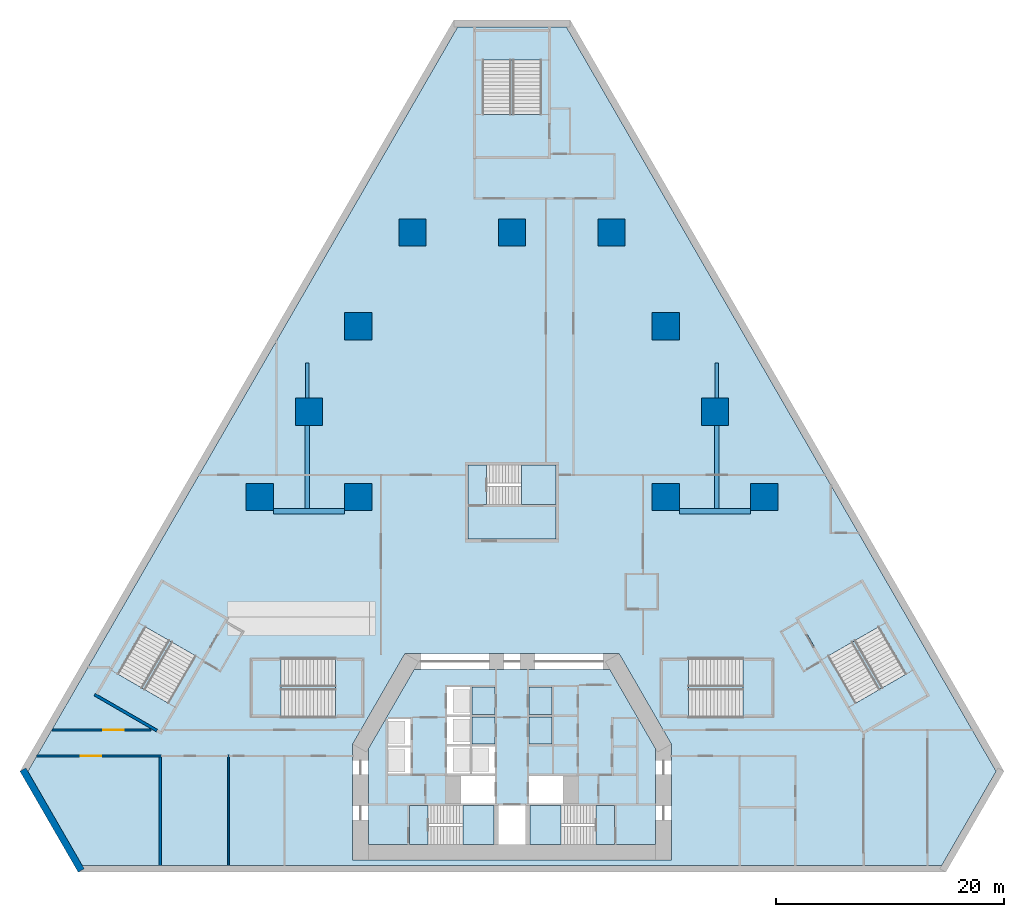
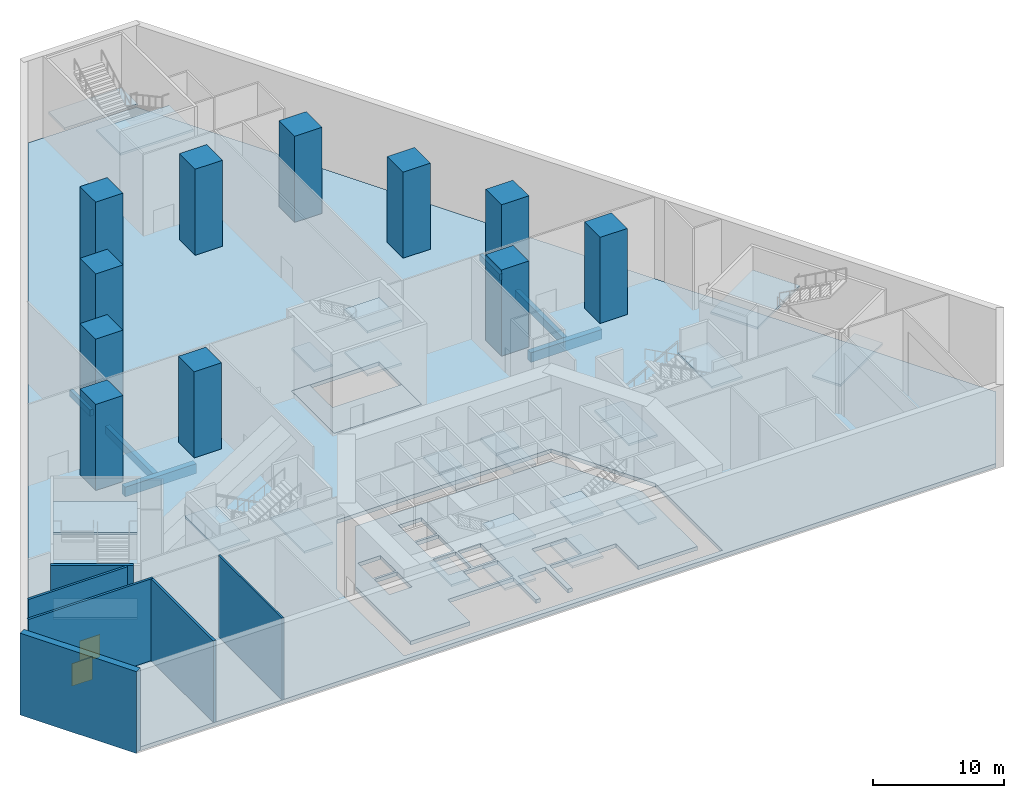
# One storey, part 1 of 11: 26 slabs, 11 columns, 6 beams, 6 walls, 2 doors, 2 openings, 8 elements without a shape of their own.
"""IFC4 building model written with IfcOpenShell, lengths in metres."""

from ifc_helpers import new_model, si_unit, direction, frame, frame_2d, origin, origin_2d, place, context, subcontext, project, spatial, polyline, rectangle, outline, extrude, material, layer, layer_set, material_profile, profile_set, type_object, element, fill, aggregate, save


model = new_model("IFC4")

# Units and contexts
model_context = context("Model", 3, precision=1e-05, world=origin(), true_north=direction((0.0, 1.0)))
body_context = subcontext(model_context, "Body", "Model", "MODEL_VIEW")
ifc_project = project(units=[si_unit("LENGTHUNIT", "METRE"), si_unit("AREAUNIT", "SQUARE_METRE"), si_unit("VOLUMEUNIT", "CUBIC_METRE"), si_unit("PLANEANGLEUNIT", "RADIAN"), si_unit("MASSUNIT", "GRAM", prefix="KILO")], contexts=[model_context])

# Site, building, storey
site_placement = place(None, origin())
site = spatial("IfcSite", under=ifc_project, at=site_placement, CompositionType="ELEMENT")
building_placement = place(site_placement, origin())
building = spatial("IfcBuilding", under=site, at=building_placement, Name="Fogline Exchange Tower", CompositionType="ELEMENT")
storey_placement = place(building_placement, frame((0.0, 0.0, -8.0)))
storey = spatial("IfcBuildingStorey", under=building, at=storey_placement, Name="B1", CompositionType="ELEMENT", Elevation=-8.0)

# Columns
ifc_material_1 = material(Name="Concrete C80", Category="concrete")
ifc_material_profile_1 = material_profile(ifc_material_1, rectangle(XDim=2.39990234375, YDim=2.39990234375, at=origin_2d()), Name="RC 2400x2400")
ifc_profile_set_1 = profile_set([ifc_material_profile_1], Name="Concrete C80")
column_type = type_object("IfcColumnType", Name="MC01", PredefinedType="COLUMN", material=ifc_profile_set_1)
for number, where, z_axis, x_axis, name in (
    (1, (-8.739990234375, 56.0, 0.0), (0.0, 0.0, 1.0), (1.0, 0.0, 0.0), "M01"),
    (2, (8.739990234375, 56.0, 0.0), (0.0, 0.0, 1.0), (1.0, 0.0, 0.0), "M02"),
    (3, (22.157958984375, 32.760009765625, 0.0), (0.0, 0.0, 1.0), (1.0, 0.0, 0.0), "M03"),
    (4, (-22.157958984375, 32.760009765625, 0.0), (0.0, 0.0, 1.0), (1.0, 0.0, 0.0), "M04"),
    (5, (-13.5, 47.756103515625, 0.0), (0.0, 0.0, 1.0), (1.0, 0.0, 0.0), "M05"),
    (6, (-13.5, 32.760009765625, 0.0), (0.0, 0.0, 1.0), (1.0, 0.0, 0.0), "M06"),
    (7, (0.0, 56.0, 0.0), (0.0, 0.0, 1.0), (1.0, 0.0, 0.0), "M07"),
    (8, (13.5, 47.756103515625, 0.0), (0.0, 0.0, 1.0), (1.0, 0.0, 0.0), "M08"),
    (9, (13.5, 32.760009765625, 0.0), (0.0, 0.0, 1.0), (1.0, 0.0, 0.0), "M09"),
    (10, (17.8291015625, 40.258056640625, 0.0), (0.0, 0.0, 1.0), (1.0, 0.0, 0.0), "M10"),
    (11, (-17.8291015625, 40.258056640625, 0.0), (0.0, 0.0, 1.0), (1.0, 0.0, 0.0), "M11"),
):
    element("IfcColumn", number, at=place(storey_placement, frame(where, z_axis=z_axis, x_axis=x_axis)), inside=storey, type_object=column_type, Name=name, PredefinedType="COLUMN", context=body_context, shape_type="SweptSolid", body=[
        extrude(rectangle(XDim=2.39990234375, YDim=2.39990234375, at=origin_2d()), origin(), (0.0, 0.0, 1.0), 8.0),
    ])

# Beams
ifc_material_2 = material(Name="Concrete C40", Category="concrete")
ifc_material_profile_2 = material_profile(ifc_material_2, rectangle(XDim=0.5, YDim=0.89990234375, at=origin_2d()), Name="RC 500x900")
ifc_profile_set_2 = profile_set([ifc_material_profile_2], Name="Concrete C40")
beam_type_1 = type_object("IfcBeamType", Name="B02", PredefinedType="BEAM", material=ifc_profile_set_2)
for number, where, z_axis, x_axis, name in (
    (12, (-20.9580078125, 31.5, -0.800048828125), (1.0, 0.0, 0.0), (0.0, 1.0, 0.0), "GB006"),
    (13, (14.699951171875, 31.5, -0.800048828125), (1.0, 0.0, 0.0), (0.0, 1.0, 0.0), "GB009"),
):
    element("IfcBeam", number, at=place(storey_placement, frame(where, z_axis=z_axis, x_axis=x_axis)), inside=storey, type_object=beam_type_1, Name=name, PredefinedType="BEAM", context=body_context, shape_type="SweptSolid", body=[
        extrude(rectangle(XDim=0.5, YDim=0.89990234375, at=origin_2d()), origin(), (0.0, 0.0, 1.0), 6.258056640625),
    ])
ifc_material_profile_3 = material_profile(ifc_material_2, rectangle(XDim=0.39990234375, YDim=0.75, at=origin_2d()), Name="RC 400x750")
ifc_profile_set_3 = profile_set([ifc_material_profile_3], Name="Concrete C40")
beam_type_2 = type_object("IfcBeamType", Name="B05", PredefinedType="BEAM", material=ifc_profile_set_3)
for number, where, z_axis, x_axis, name in (
    (14, (-18.0, 31.75, -0.72509765625), (0.0, 1.0, 0.0), (-1.0, 0.0, 0.0), "SB013"),
    (15, (18.0, 31.75, -0.72509765625), (0.0, 1.0, 0.0), (-1.0, 0.0, 0.0), "SB037"),
):
    element("IfcBeam", number, at=place(storey_placement, frame(where, z_axis=z_axis, x_axis=x_axis)), inside=storey, type_object=beam_type_2, Name=name, PredefinedType="BEAM", context=body_context, shape_type="SweptSolid", body=[
        extrude(rectangle(XDim=0.39990234375, YDim=0.75, at=origin_2d()), origin(), (0.0, 0.0, 1.0), 7.30810546875),
    ])
ifc_material_profile_4 = material_profile(ifc_material_2, rectangle(XDim=0.300048828125, YDim=0.60009765625, at=origin_2d()), Name="RC 300x600")
ifc_profile_set_4 = profile_set([ifc_material_profile_4], Name="Concrete C40")
beam_type_3 = type_object("IfcBeamType", Name="B06", PredefinedType="BEAM", material=ifc_profile_set_4)
for number, where, z_axis, x_axis, name in (
    (16, (-18.0, 41.4580078125, -0.64990234375), (0.0, 1.0, 0.0), (-1.0, 0.0, 0.0), "SB014"),
    (17, (18.0, 41.4580078125, -0.64990234375), (0.0, 1.0, 0.0), (-1.0, 0.0, 0.0), "SB038"),
):
    element("IfcBeam", number, at=place(storey_placement, frame(where, z_axis=z_axis, x_axis=x_axis)), inside=storey, type_object=beam_type_3, Name=name, PredefinedType="BEAM", context=body_context, shape_type="SweptSolid", body=[
        extrude(rectangle(XDim=0.300048828125, YDim=0.60009765625, at=origin_2d()), origin(), (0.0, 0.0, 1.0), 3.092041015625),
    ])

# Slabs
ifc_layer_1 = layer(ifc_material_2, 0.300048828125)
ifc_layer_set_1 = layer_set([ifc_layer_1], Name="PS300")
slab_type_1 = type_object("IfcSlabType", Name="PS300", PredefinedType="BASESLAB", material=ifc_layer_set_1)
slab_1_placement = place(storey_placement, frame((0.0, 0.0, 5.300048828125)))
element("IfcSlab", 18, at=slab_1_placement, inside=storey, type_object=slab_type_1, Name="Lift pit slab OB1", PredefinedType="BASESLAB", context=body_context, shape_type="SweptSolid", body=[
    extrude(outline(polyline([(1.5, 13.64990234375), (3.5, 13.64990234375), (3.5, 16.050048828125), (1.5, 16.050048828125), (1.5, 13.64990234375)])), origin(), (0.0, 0.0, 1.0), 0.300048828125),
])
slab_2_placement = place(storey_placement, frame((0.0, 0.0, 5.300048828125)))
element("IfcSlab", 19, at=slab_2_placement, inside=storey, type_object=slab_type_1, Name="Lift pit slab SH1", PredefinedType="BASESLAB", context=body_context, shape_type="SweptSolid", body=[
    extrude(outline(polyline([(-3.5, 11.050048828125), (-1.5, 11.050048828125), (-1.5, 13.449951171875), (-3.5, 13.449951171875), (-3.5, 11.050048828125)])), origin(), (0.0, 0.0, 1.0), 0.300048828125),
])
slab_3_placement = place(storey_placement, frame((0.0, 0.0, 5.300048828125)))
element("IfcSlab", 20, at=slab_3_placement, inside=storey, type_object=slab_type_1, Name="Lift pit slab SH2", PredefinedType="BASESLAB", context=body_context, shape_type="SweptSolid", body=[
    extrude(outline(polyline([(-3.5, 13.64990234375), (-1.5, 13.64990234375), (-1.5, 16.050048828125), (-3.5, 16.050048828125), (-3.5, 13.64990234375)])), origin(), (0.0, 0.0, 1.0), 0.300048828125),
])
slab_4_placement = place(storey_placement, frame((0.0, 0.0, 5.300048828125)))
element("IfcSlab", 21, at=slab_4_placement, inside=storey, type_object=slab_type_1, Name="Lift pit slab SH3", PredefinedType="BASESLAB", context=body_context, shape_type="SweptSolid", body=[
    extrude(outline(polyline([(1.5, 11.050048828125), (3.5, 11.050048828125), (3.5, 13.449951171875), (1.5, 13.449951171875), (1.5, 11.050048828125)])), origin(), (0.0, 0.0, 1.0), 0.300048828125),
])

# Stair, slabs
stair_type_1 = type_object("IfcStairType", Name="PSF0-46-1739", PredefinedType="HALF_TURN_STAIR", material=ifc_material_2)
stair_1_placement = place(storey_placement, origin())
stair_1 = element("IfcStair", 22, at=stair_1_placement, inside=storey, type_object=stair_type_1, Name="Stair ST4", PredefinedType="HALF_TURN_STAIR")
ifc_layer_2 = layer(ifc_material_2, 0.199951171875)
ifc_layer_set_2 = layer_set([ifc_layer_2], Name="PSL1")
slab_type_2 = type_object("IfcSlabType", Name="PSL1", PredefinedType="LANDING", material=ifc_layer_set_2)
slab_5_placement = place(storey_placement, frame((0.0, 0.0, 2.40869140625)))
slab_5 = element("IfcSlab", 23, at=slab_5_placement, type_object=slab_type_2, Name="ST4 landing 1", PredefinedType="LANDING", context=body_context, shape_type="SweptSolid", body=[
    extrude(outline(polyline([(-36.444091796875, 15.36572265625), (-35.193115234375, 17.532470703125), (-29.62451171875, 14.317626953125), (-30.87548828125, 12.15087890625), (-36.444091796875, 15.36572265625)])), origin(), (0.0, 0.0, 1.0), 0.199951171875),
])
slab_6_placement = place(storey_placement, frame((0.0, 0.0, 5.19140625)))
slab_6 = element("IfcSlab", 24, at=slab_6_placement, type_object=slab_type_2, Name="ST4 landing 2", PredefinedType="LANDING", context=body_context, shape_type="SweptSolid", body=[
    extrude(outline(polyline([(-32.79541015625, 21.68603515625), (-30.7294921875, 25.2646484375), (-25.16064453125, 22.0498046875), (-27.2265625, 18.47119140625), (-32.79541015625, 21.68603515625)])), origin(), (0.0, 0.0, 1.0), 0.199951171875),
])
aggregate(stair_1, [slab_5, slab_6])

stair_2_placement = place(storey_placement, origin())
stair_2 = element("IfcStair", 25, at=stair_2_placement, inside=storey, type_object=stair_type_1, Name="Stair ST5", PredefinedType="HALF_TURN_STAIR")
slab_7_placement = place(storey_placement, frame((0.0, 0.0, 2.40869140625)))
slab_7 = element("IfcSlab", 26, at=slab_7_placement, type_object=slab_type_2, Name="ST5 landing 1", PredefinedType="LANDING", context=body_context, shape_type="SweptSolid", body=[
    extrude(outline(polyline([(36.444091796875, 15.36572265625), (35.193115234375, 17.532470703125), (29.62451171875, 14.317626953125), (30.87548828125, 12.15087890625), (36.444091796875, 15.36572265625)])), origin(), (0.0, 0.0, 1.0), 0.199951171875),
])
slab_8_placement = place(storey_placement, frame((0.0, 0.0, 5.19140625)))
slab_8 = element("IfcSlab", 27, at=slab_8_placement, type_object=slab_type_2, Name="ST5 landing 2", PredefinedType="LANDING", context=body_context, shape_type="SweptSolid", body=[
    extrude(outline(polyline([(32.79541015625, 21.68603515625), (30.7294921875, 25.2646484375), (25.16064453125, 22.0498046875), (27.2265625, 18.47119140625), (32.79541015625, 21.68603515625)])), origin(), (0.0, 0.0, 1.0), 0.199951171875),
])
aggregate(stair_2, [slab_7, slab_8])

stair_3_placement = place(storey_placement, origin())
stair_3 = element("IfcStair", 28, at=stair_3_placement, inside=storey, type_object=stair_type_1, Name="Stair ST6", PredefinedType="HALF_TURN_STAIR")
slab_9_placement = place(storey_placement, frame((0.0, 0.0, 2.40869140625)))
slab_9 = element("IfcSlab", 29, at=slab_9_placement, type_object=slab_type_2, Name="ST6 landing 1", PredefinedType="LANDING", context=body_context, shape_type="SweptSolid", body=[
    extrude(outline(polyline([(-3.215087890625, 73.6650390625), (-3.215087890625, 71.1630859375), (3.215087890625, 71.1630859375), (3.215087890625, 73.6650390625), (-3.215087890625, 73.6650390625)])), origin(), (0.0, 0.0, 1.0), 0.199951171875),
])
slab_10_placement = place(storey_placement, frame((0.0, 0.0, 5.19140625)))
slab_10 = element("IfcSlab", 30, at=slab_10_placement, type_object=slab_type_2, Name="ST6 landing 2", PredefinedType="LANDING", context=body_context, shape_type="SweptSolid", body=[
    extrude(outline(polyline([(-3.215087890625, 66.366943359375), (-3.215087890625, 62.68505859375), (3.215087890625, 62.68505859375), (3.215087890625, 66.366943359375), (-3.215087890625, 66.366943359375)])), origin(), (0.0, 0.0, 1.0), 0.199951171875),
])
aggregate(stair_3, [slab_9, slab_10])

stair_4_placement = place(storey_placement, origin())
stair_4 = element("IfcStair", 31, at=stair_4_placement, inside=storey, type_object=stair_type_1, Name="Public stair PS3", PredefinedType="HALF_TURN_STAIR")
slab_11_placement = place(storey_placement, frame((0.0, 0.0, 2.40869140625)))
slab_11 = element("IfcSlab", 32, at=slab_11_placement, type_object=slab_type_2, Name="PS3 landing 1", PredefinedType="LANDING", context=body_context, shape_type="SweptSolid", body=[
    extrude(outline(polyline([(-15.501953125, 13.39990234375), (-13.0, 13.39990234375), (-13.0, 18.60009765625), (-15.501953125, 18.60009765625), (-15.501953125, 13.39990234375)])), origin(), (0.0, 0.0, 1.0), 0.199951171875),
])
slab_12_placement = place(storey_placement, frame((0.0, 0.0, 5.19140625)))
slab_12 = element("IfcSlab", 33, at=slab_12_placement, type_object=slab_type_2, Name="PS3 landing 2", PredefinedType="LANDING", context=body_context, shape_type="SweptSolid", body=[
    extrude(outline(polyline([(-23.0, 13.39990234375), (-20.298095703125, 13.39990234375), (-20.298095703125, 18.60009765625), (-23.0, 18.60009765625), (-23.0, 13.39990234375)])), origin(), (0.0, 0.0, 1.0), 0.199951171875),
])
aggregate(stair_4, [slab_11, slab_12])

stair_5_placement = place(storey_placement, origin())
stair_5 = element("IfcStair", 34, at=stair_5_placement, inside=storey, type_object=stair_type_1, Name="Public stair PS4", PredefinedType="HALF_TURN_STAIR")
slab_13_placement = place(storey_placement, frame((0.0, 0.0, 2.40869140625)))
slab_13 = element("IfcSlab", 35, at=slab_13_placement, type_object=slab_type_2, Name="PS4 landing 1", PredefinedType="LANDING", context=body_context, shape_type="SweptSolid", body=[
    extrude(outline(polyline([(15.501953125, 13.39990234375), (13.0, 13.39990234375), (13.0, 18.60009765625), (15.501953125, 18.60009765625), (15.501953125, 13.39990234375)])), origin(), (0.0, 0.0, 1.0), 0.199951171875),
])
slab_14_placement = place(storey_placement, frame((0.0, 0.0, 5.19140625)))
slab_14 = element("IfcSlab", 36, at=slab_14_placement, type_object=slab_type_2, Name="PS4 landing 2", PredefinedType="LANDING", context=body_context, shape_type="SweptSolid", body=[
    extrude(outline(polyline([(23.0, 13.39990234375), (20.298095703125, 13.39990234375), (20.298095703125, 18.60009765625), (23.0, 18.60009765625), (23.0, 13.39990234375)])), origin(), (0.0, 0.0, 1.0), 0.199951171875),
])
aggregate(stair_5, [slab_13, slab_14])

# Slabs
ifc_layer_3 = layer(ifc_material_2, 0.35009765625)
ifc_layer_set_3 = layer_set([ifc_layer_3], Name="S02")
slab_type_3 = type_object("IfcSlabType", Name="S02", PredefinedType="FLOOR", material=ifc_layer_set_3)
slab_15_placement = place(storey_placement, frame((0.0, 0.0, -0.35009765625)))
element("IfcSlab", 37, at=slab_15_placement, inside=storey, type_object=slab_type_3, Name="SLAB B1", PredefinedType="FLOOR", context=body_context, shape_type="SweptSolid", body=[
    extrude(outline(polyline([(4.76904296875, 74.078125), (-4.76904296875, 74.078125), (-42.5380859375, 8.660400390625), (-37.76904296875, 0.39990234375), (37.76904296875, 0.39990234375), (42.5380859375, 8.660400390625), (4.76904296875, 74.078125)]), holes=[polyline([(14.0, 11.052490234375), (14.0, 0.85009765625), (-14.0, 0.85009765625), (-14.0, 11.052490234375), (-9.41162109375, 19.0), (9.41162109375, 19.0), (14.0, 11.052490234375)]), polyline([(3.85009765625, 35.556884765625), (3.85009765625, 29.056884765625), (-3.85009765625, 29.056884765625), (-3.85009765625, 35.556884765625), (3.85009765625, 35.556884765625)])]), origin(), (0.0, 0.0, 1.0), 0.35009765625),
])
slab_16_placement = place(storey_placement, frame((0.0, 0.0, -0.35009765625)))
element("IfcSlab", 38, at=slab_16_placement, inside=storey, type_object=slab_type_3, Name="Core floor slab", PredefinedType="FLOOR", context=body_context, shape_type="SweptSolid", body=[
    extrude(outline(polyline([(-12.60009765625, 2.25), (-12.60009765625, 10.677490234375), (-8.603271484375, 17.60009765625), (8.603271484375, 17.60009765625), (12.60009765625, 10.677490234375), (12.60009765625, 2.25), (7.389892578125, 2.25), (7.389892578125, 5.64990234375), (1.60009765625, 5.64990234375), (1.60009765625, 2.25), (1.199951171875, 2.25), (1.199951171875, 5.64990234375), (-1.199951171875, 5.64990234375), (-1.199951171875, 2.25), (-1.60009765625, 2.25), (-1.60009765625, 5.64990234375), (-7.389892578125, 5.64990234375), (-7.389892578125, 2.25), (-12.60009765625, 2.25)]), holes=[polyline([(-10.89990234375, 10.75), (-10.89990234375, 8.449951171875), (-8.89990234375, 8.449951171875), (-8.89990234375, 10.75), (-10.89990234375, 10.75)]), polyline([(-5.699951171875, 10.85009765625), (-5.699951171875, 8.449951171875), (-3.699951171875, 8.449951171875), (-3.699951171875, 10.85009765625), (-5.699951171875, 10.85009765625)]), polyline([(-8.89990234375, 13.25), (-10.89990234375, 13.25), (-10.89990234375, 10.949951171875), (-8.89990234375, 10.949951171875), (-8.89990234375, 13.25)]), polyline([(-3.699951171875, 13.449951171875), (-5.699951171875, 13.449951171875), (-5.699951171875, 11.050048828125), (-3.699951171875, 11.050048828125), (-3.699951171875, 13.449951171875)]), polyline([(-5.699951171875, 16.050048828125), (-5.699951171875, 13.64990234375), (-3.699951171875, 13.64990234375), (-3.699951171875, 16.050048828125), (-5.699951171875, 16.050048828125)]), polyline([(-4.5, 8.25), (-4.5, 5.85009765625), (-1.5, 5.85009765625), (-1.5, 8.25), (-4.5, 8.25)]), polyline([(4.5, 8.25), (1.5, 8.25), (1.5, 5.85009765625), (4.5, 5.85009765625), (4.5, 8.25)]), polyline([(-1.5, 10.85009765625), (-3.5, 10.85009765625), (-3.5, 8.449951171875), (-1.5, 8.449951171875), (-1.5, 10.85009765625)])]), origin(), (0.0, 0.0, 1.0), 0.35009765625),
])
slab_17_placement = place(storey_placement, frame((0.0, 0.0, -0.35009765625)))
element("IfcSlab", 39, at=slab_17_placement, inside=storey, type_object=slab_type_3, Name="Stair enclosure floor slab", PredefinedType="FLOOR", context=body_context, shape_type="SweptSolid", body=[
    extrude(outline(polyline([(3.85009765625, 29.056884765625), (-3.85009765625, 29.056884765625), (-3.85009765625, 35.556884765625), (-2.239990234375, 35.556884765625), (-2.239990234375, 32.10693359375), (3.85009765625, 32.10693359375), (3.85009765625, 29.056884765625)])), origin(), (0.0, 0.0, 1.0), 0.35009765625),
])

# Stair, slabs
stair_type_2 = type_object("IfcStairType", Name="STR48-1667", PredefinedType="HALF_TURN_STAIR", material=ifc_material_2)
stair_6_placement = place(storey_placement, origin())
stair_6 = element("IfcStair", 40, at=stair_6_placement, inside=storey, type_object=stair_type_2, Name="Stair ST1", PredefinedType="HALF_TURN_STAIR")
ifc_layer_4 = layer(ifc_material_2, 0.199951171875)
ifc_layer_set_4 = layer_set([ifc_layer_4], Name="SL200")
slab_type_4 = type_object("IfcSlabType", Name="SL200", PredefinedType="LANDING", material=ifc_layer_set_4)
slab_18_placement = place(storey_placement, frame((0.0, 0.0, 1.800048828125)))
slab_18 = element("IfcSlab", 41, at=slab_18_placement, type_object=slab_type_4, Name="ST1 landing 1", PredefinedType="LANDING", context=body_context, shape_type="SweptSolid", body=[
    extrude(outline(polyline([(-4.320068359375, 2.25), (-1.60009765625, 2.25), (-1.60009765625, 5.64990234375), (-4.320068359375, 5.64990234375), (-4.320068359375, 2.25)])), origin(), (0.0, 0.0, 1.0), 0.199951171875),
])
slab_19_placement = place(storey_placement, frame((0.0, 0.0, 3.800048828125)))
slab_19 = element("IfcSlab", 42, at=slab_19_placement, type_object=slab_type_4, Name="ST1 landing 2", PredefinedType="LANDING", context=body_context, shape_type="SweptSolid", body=[
    extrude(outline(polyline([(-9.0, 2.25), (-7.39990234375, 2.25), (-7.39990234375, 5.64990234375), (-9.0, 5.64990234375), (-9.0, 2.25)])), origin(), (0.0, 0.0, 1.0), 0.199951171875),
])
slab_20_placement = place(storey_placement, frame((0.0, 0.0, 5.800048828125)))
slab_20 = element("IfcSlab", 43, at=slab_20_placement, type_object=slab_type_4, Name="ST1 landing 3", PredefinedType="LANDING", context=body_context, shape_type="SweptSolid", body=[
    extrude(outline(polyline([(-4.320068359375, 2.25), (-1.60009765625, 2.25), (-1.60009765625, 5.64990234375), (-4.320068359375, 5.64990234375), (-4.320068359375, 2.25)])), origin(), (0.0, 0.0, 1.0), 0.199951171875),
])
aggregate(stair_6, [slab_18, slab_19, slab_20])

stair_7_placement = place(storey_placement, origin())
stair_7 = element("IfcStair", 44, at=stair_7_placement, inside=storey, type_object=stair_type_2, Name="Stair ST2", PredefinedType="HALF_TURN_STAIR")
slab_21_placement = place(storey_placement, frame((0.0, 0.0, 1.800048828125)))
slab_21 = element("IfcSlab", 45, at=slab_21_placement, type_object=slab_type_4, Name="ST2 landing 1", PredefinedType="LANDING", context=body_context, shape_type="SweptSolid", body=[
    extrude(outline(polyline([(1.60009765625, 2.25), (4.320068359375, 2.25), (4.320068359375, 5.64990234375), (1.60009765625, 5.64990234375), (1.60009765625, 2.25)])), origin(), (0.0, 0.0, 1.0), 0.199951171875),
])
slab_22_placement = place(storey_placement, frame((0.0, 0.0, 3.800048828125)))
slab_22 = element("IfcSlab", 46, at=slab_22_placement, type_object=slab_type_4, Name="ST2 landing 2", PredefinedType="LANDING", context=body_context, shape_type="SweptSolid", body=[
    extrude(outline(polyline([(7.39990234375, 2.25), (9.0, 2.25), (9.0, 5.64990234375), (7.39990234375, 5.64990234375), (7.39990234375, 2.25)])), origin(), (0.0, 0.0, 1.0), 0.199951171875),
])
slab_23_placement = place(storey_placement, frame((0.0, 0.0, 5.800048828125)))
slab_23 = element("IfcSlab", 47, at=slab_23_placement, type_object=slab_type_4, Name="ST2 landing 3", PredefinedType="LANDING", context=body_context, shape_type="SweptSolid", body=[
    extrude(outline(polyline([(1.60009765625, 2.25), (4.320068359375, 2.25), (4.320068359375, 5.64990234375), (1.60009765625, 5.64990234375), (1.60009765625, 2.25)])), origin(), (0.0, 0.0, 1.0), 0.199951171875),
])
aggregate(stair_7, [slab_21, slab_22, slab_23])

stair_8_placement = place(storey_placement, origin())
stair_8 = element("IfcStair", 48, at=stair_8_placement, inside=storey, type_object=stair_type_2, Name="Stair ST3", PredefinedType="HALF_TURN_STAIR")
slab_24_placement = place(storey_placement, frame((0.0, 0.0, 1.800048828125)))
slab_24 = element("IfcSlab", 49, at=slab_24_placement, type_object=slab_type_4, Name="ST3 landing 1", PredefinedType="LANDING", context=body_context, shape_type="SweptSolid", body=[
    extrude(outline(polyline([(0.830078125, 32.10693359375), (3.85009765625, 32.10693359375), (3.85009765625, 35.556884765625), (0.830078125, 35.556884765625), (0.830078125, 32.10693359375)])), origin(), (0.0, 0.0, 1.0), 0.199951171875),
])
slab_25_placement = place(storey_placement, frame((0.0, 0.0, 3.800048828125)))
slab_25 = element("IfcSlab", 50, at=slab_25_placement, type_object=slab_type_4, Name="ST3 landing 2", PredefinedType="LANDING", context=body_context, shape_type="SweptSolid", body=[
    extrude(outline(polyline([(-3.85009765625, 32.10693359375), (-2.25, 32.10693359375), (-2.25, 35.556884765625), (-3.85009765625, 35.556884765625), (-3.85009765625, 32.10693359375)])), origin(), (0.0, 0.0, 1.0), 0.199951171875),
])
slab_26_placement = place(storey_placement, frame((0.0, 0.0, 5.800048828125)))
slab_26 = element("IfcSlab", 51, at=slab_26_placement, type_object=slab_type_4, Name="ST3 landing 3", PredefinedType="LANDING", context=body_context, shape_type="SweptSolid", body=[
    extrude(outline(polyline([(0.830078125, 32.10693359375), (3.85009765625, 32.10693359375), (3.85009765625, 35.556884765625), (0.830078125, 35.556884765625), (0.830078125, 32.10693359375)])), origin(), (0.0, 0.0, 1.0), 0.199951171875),
])
aggregate(stair_8, [slab_24, slab_25, slab_26])

# Walls
ifc_material_3 = material(Name="Plasterboard on steel stud", Category="steel")
ifc_layer_5 = layer(ifc_material_3, 0.14990234375)
ifc_layer_set_5 = layer_set([ifc_layer_5], Name="PP1")
wall_type_1 = type_object("IfcWallType", Name="PP1", PredefinedType="PARTITIONING", material=ifc_layer_set_5)
wall_1_placement = place(storey_placement, frame((-24.89990234375, 10.074951171875, 0.0), z_axis=(0.0, 0.0, 1.0), x_axis=(0.0, -1.0, 0.0)))
element("IfcWall", 52, at=wall_1_placement, inside=storey, type_object=wall_type_1, Name="PP1 partition", PredefinedType="PARTITIONING", context=body_context, shape_type="SweptSolid", body=[
    extrude(rectangle(XDim=9.675048828125, YDim=0.14990234375, at=frame_2d((4.83740234375, 0.0))), origin(), (0.0, 0.0, 1.0), 7.60009765625),
])
ifc_material_4 = material(Name="Concrete block masonry", Category="masonry")
ifc_layer_6 = layer(ifc_material_4, 0.199951171875)
ifc_layer_set_6 = layer_set([ifc_layer_6], Name="PP2")
wall_type_2 = type_object("IfcWallType", Name="PP2", PredefinedType="PARTITIONING", material=ifc_layer_set_6)
wall_2_placement = place(storey_placement, frame((-30.89990234375, 9.89990234375, 0.0), z_axis=(0.0, 0.0, 1.0), x_axis=(0.0, -1.0, 0.0)))
element("IfcWall", 53, at=wall_2_placement, inside=storey, type_object=wall_type_2, Name="PP2 partition", PredefinedType="PARTITIONING", context=body_context, shape_type="SweptSolid", body=[
    extrude(rectangle(XDim=9.5, YDim=0.199951171875, at=frame_2d((4.75, 0.0))), origin(), (0.0, 0.0, 1.0), 7.60009765625),
])

# Wall, opening, door
wall_3_placement = place(storey_placement, frame((-30.800048828125, 10.0, 0.0), z_axis=(0.0, 0.0, 1.0), x_axis=(-1.0, 0.0, 0.0)))
wall_3 = element("IfcWall", 54, at=wall_3_placement, inside=storey, type_object=wall_type_2, Name="PP2 partition", PredefinedType="PARTITIONING", context=body_context, shape_type="SweptSolid", body=[
    extrude(rectangle(XDim=10.964599609375, YDim=0.199951171875, at=frame_2d((5.482421875, 0.0))), origin(), (0.0, 0.0, 1.0), 7.60009765625),
])
opening_1_placement = place(wall_3_placement, frame((5.300048828125, 0.0, 0.0)))
opening_1 = element("IfcOpeningElement", 55, at=opening_1_placement, cuts=wall_3, Name="Opening B1-D013", PredefinedType="OPENING", context=body_context, shape_type="SweptSolid", body=[
    extrude(rectangle(XDim=1.800048828125, YDim=2.10009765625, at=frame_2d((0.89990234375, 1.050048828125))), frame((0.0, 0.10986328125, 0.0), z_axis=(0.0, -1.0, 0.0), x_axis=(1.0, 0.0, 0.0)), (0.0, 0.0, 1.0), 0.219970703125),
])
ifc_material_5 = material(Name="Timber", Category="wood")
door_type = type_object("IfcDoorType", Name="PD3", OperationType="DOUBLE_DOOR_SINGLE_SWING", PredefinedType="DOOR", material=ifc_material_5)
door_1_placement = place(opening_1_placement, origin())
door_1 = element("IfcDoor", 56, at=door_1_placement, inside=storey, type_object=door_type, Name="B1-D013", OperationType="DOUBLE_DOOR_SINGLE_SWING", OverallHeight=2.10009765625, OverallWidth=1.800048828125, PredefinedType="DOOR", context=body_context, shape_type="SweptSolid", body=[
    extrude(rectangle(XDim=1.800048828125, YDim=2.10009765625, at=frame_2d((0.89990234375, 1.050048828125))), frame((0.0, 0.02490234375, 0.0), z_axis=(0.0, -1.0, 0.0), x_axis=(1.0, 0.0, 0.0)), (0.0, 0.0, 1.0), 0.050048828125),
])
fill(opening_1, door_1)

wall_4_placement = place(storey_placement, frame((-40.436767578125, 12.300048828125, 0.0), z_axis=(0.0, 0.0, 1.0), x_axis=(1.0, 0.0, 0.0)))
wall_4 = element("IfcWall", 57, at=wall_4_placement, inside=storey, type_object=wall_type_2, Name="PP2 partition", PredefinedType="PARTITIONING", context=body_context, shape_type="SweptSolid", body=[
    extrude(rectangle(XDim=8.712646484375, YDim=0.199951171875, at=frame_2d((4.3564453125, 0.0))), origin(), (0.0, 0.0, 1.0), 7.60009765625),
])
opening_2_placement = place(wall_4_placement, frame((4.53662109375, 0.0, 0.0)))
opening_2 = element("IfcOpeningElement", 58, at=opening_2_placement, cuts=wall_4, Name="Opening B1-D016", PredefinedType="OPENING", context=body_context, shape_type="SweptSolid", body=[
    extrude(rectangle(XDim=1.800048828125, YDim=2.10009765625, at=frame_2d((0.89990234375, 1.050048828125))), frame((0.0, 0.10986328125, 0.0), z_axis=(0.0, -1.0, 0.0), x_axis=(1.0, 0.0, 0.0)), (0.0, 0.0, 1.0), 0.219970703125),
])
door_2_placement = place(opening_2_placement, origin())
door_2 = element("IfcDoor", 59, at=door_2_placement, inside=storey, type_object=door_type, Name="B1-D016", OperationType="DOUBLE_DOOR_SINGLE_SWING", OverallHeight=2.10009765625, OverallWidth=1.800048828125, PredefinedType="DOOR", context=body_context, shape_type="SweptSolid", body=[
    extrude(rectangle(XDim=1.800048828125, YDim=2.10009765625, at=frame_2d((0.89990234375, 1.050048828125))), frame((0.0, 0.02490234375, 0.0), z_axis=(0.0, -1.0, 0.0), x_axis=(1.0, 0.0, 0.0)), (0.0, 0.0, 1.0), 0.050048828125),
])
fill(opening_2, door_2)

# Walls
ifc_layer_7 = layer(ifc_material_2, 0.25)
ifc_layer_set_7 = layer_set([ifc_layer_7], Name="PP3")
wall_type_3 = type_object("IfcWallType", Name="PP3", PredefinedType="SOLIDWALL", material=ifc_layer_set_7)
wall_5_placement = place(storey_placement, frame((-31.195556640625, 12.237548828125, 0.0), z_axis=(0.0, 0.0, 1.0), x_axis=(-0.866033115271, 0.499986643076, 0.0)))
element("IfcWall", 60, at=wall_5_placement, inside=storey, type_object=wall_type_3, Name="PP3 bearing wall", PredefinedType="SOLIDWALL", context=body_context, shape_type="SweptSolid", body=[
    extrude(rectangle(XDim=6.319580078125, YDim=0.25, at=frame_2d((3.15966796875, 0.0))), origin(), (0.0, 0.0, 1.0), 7.60009765625),
])
ifc_layer_8 = layer(ifc_material_2, 0.60009765625)
ifc_layer_set_8 = layer_set([ifc_layer_8], Name="RW01")
wall_type_4 = type_object("IfcWallType", Name="RW01", PredefinedType="SOLIDWALL", material=ifc_layer_set_8)
wall_6_placement = place(storey_placement, frame((-42.97119140625, 8.810302734375, 0.0), z_axis=(0.0, 0.0, 1.0), x_axis=(0.499996492717, -0.866027428706, 0.0)))
element("IfcWall", 61, at=wall_6_placement, inside=storey, type_object=wall_type_4, Name="B1-W901", PredefinedType="SOLIDWALL", context=body_context, shape_type="SweptSolid", body=[
    extrude(rectangle(XDim=10.23095703125, YDim=0.60009765625, at=frame_2d((5.115478515625, 0.0))), origin(), (0.0, 0.0, 1.0), 7.60009765625),
])

save(model, "model.ifc")
